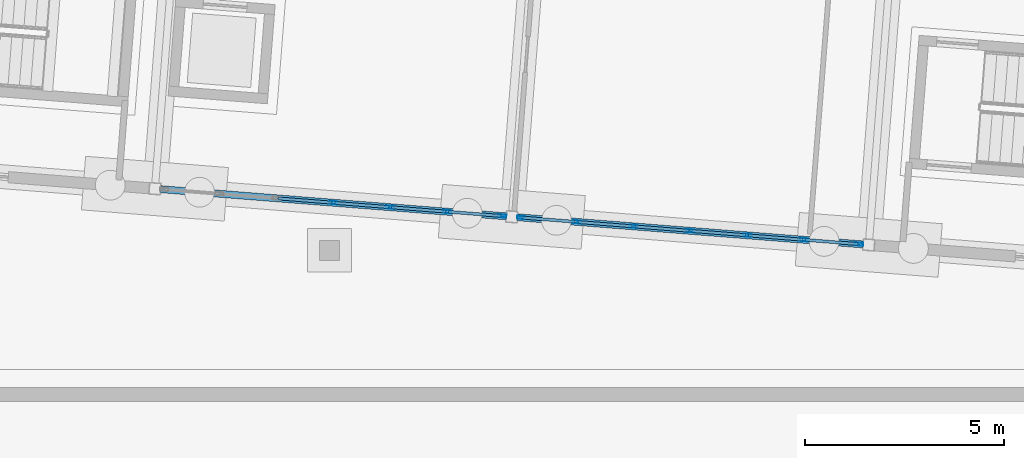
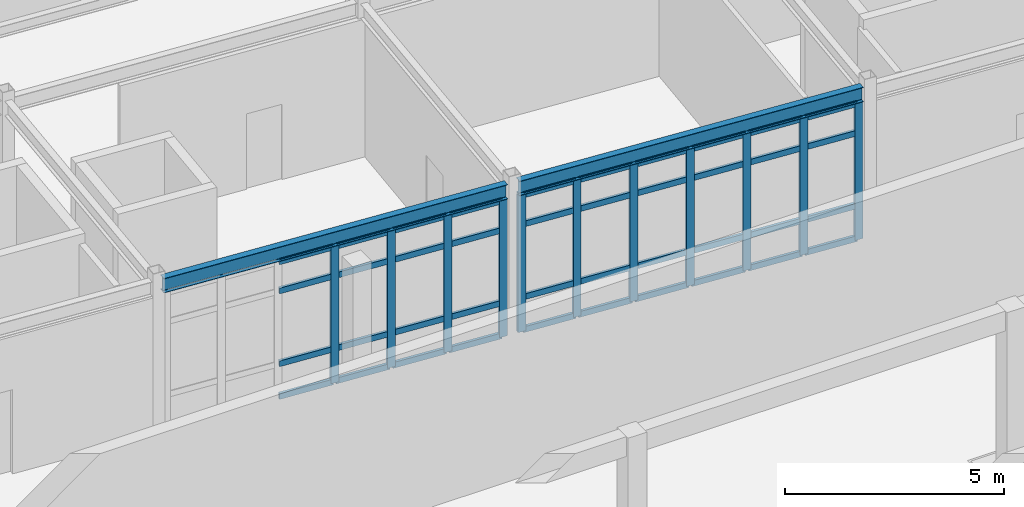
# One storey, part 73 of 154: 51 members, 2 beams, 2 elements without a shape of their own.
"""IFC4 building model written with IfcOpenShell, lengths in metres."""

from ifc_helpers import new_model, si_unit, direction, frame, origin, origin_2d, place, context, subcontext, project, spatial, hollow_rectangle, i_section, extrude, material, material_profile, profile_set, type_object, element, aggregate, save


model = new_model("IFC4")

# Units and contexts
model_context = context("Model", 3, precision=1e-05, world=origin(), true_north=direction((0.0, 1.0)))
body_context = subcontext(model_context, "Body", "Model", "MODEL_VIEW")
ifc_project = project(units=[si_unit("LENGTHUNIT", "METRE"), si_unit("AREAUNIT", "SQUARE_METRE"), si_unit("VOLUMEUNIT", "CUBIC_METRE"), si_unit("PLANEANGLEUNIT", "RADIAN"), si_unit("MASSUNIT", "GRAM", prefix="KILO")], contexts=[model_context])

# Site, building, storey
site_placement = place(None, origin())
site = spatial("IfcSite", under=ifc_project, at=site_placement, CompositionType="ELEMENT")
building_placement = place(site_placement, origin())
building = spatial("IfcBuilding", under=site, at=building_placement, Name="Kestramere Prow Commons", CompositionType="ELEMENT")
storey_placement = place(building_placement, origin())
storey = spatial("IfcBuildingStorey", under=building, at=storey_placement, Name="L00", CompositionType="ELEMENT", Elevation=0.0)

# Beams
ifc_material_1 = material(Name="Steel S355JR", Category="steel")
ifc_material_profile_1 = material_profile(ifc_material_1, i_section(OverallWidth=0.177978515625, OverallDepth=0.406494140625, WebThickness=0.0078125, FlangeThickness=0.0126953125, FilletRadius=0.01025390625, at=origin_2d()), Name="UB 406x178x60")
ifc_profile_set_1 = profile_set([ifc_material_profile_1], Name="Steel S355JR")
beam_type = type_object("IfcBeamType", Name="BM-NR-01 UB 406x178x60 (EX)", PredefinedType="BEAM", material=ifc_profile_set_1)
beam_1_placement = place(storey_placement, frame((77.7216796875, 84.781982421875, 4.046875), z_axis=(0.996919433544, -0.078432410537, 0.0), x_axis=(0.078432410537, 0.996919433544, 0.0)))
element("IfcBeam", 1, at=beam_1_placement, inside=storey, type_object=beam_type, Name="Nursery L00 Beam U 1-2", PredefinedType="BEAM", context=body_context, shape_type="SweptSolid", body=[
    extrude(i_section(OverallWidth=0.177978515625, OverallDepth=0.406494140625, WebThickness=0.0078125, FlangeThickness=0.0126953125, FilletRadius=0.01025390625, at=origin_2d()), origin(), (0.0, 0.0, 1.0), 8.7001953125),
])
beam_2_placement = place(storey_placement, frame((86.694091796875, 84.075927734375, 4.046875), z_axis=(0.996917066238, -0.078462494502, 0.0), x_axis=(0.078462494502, 0.996917066238, 0.0)))
element("IfcBeam", 2, at=beam_2_placement, inside=storey, type_object=beam_type, Name="Nursery L00 Beam U 1-3", PredefinedType="BEAM", context=body_context, shape_type="SweptSolid", body=[
    extrude(i_section(OverallWidth=0.177978515625, OverallDepth=0.406494140625, WebThickness=0.0078125, FlangeThickness=0.0126953125, FilletRadius=0.01025390625, at=origin_2d()), origin(), (0.0, 0.0, 1.0), 8.699951171875),
])

# Curtain wall, members
ifc_material_2 = material(Name="Anodised Aluminium and Low-E Glass", Category="aluminium")
curtain_wall_type = type_object("IfcCurtainWallType", Name="CW-13 Glazed Curtain Wall 8600x3830", PredefinedType="USERDEFINED", material=ifc_material_2)
curtain_wall_1_placement = place(storey_placement, origin())
curtain_wall_1 = element("IfcCurtainWall", 3, at=curtain_wall_1_placement, inside=storey, type_object=curtain_wall_type, Name="Nursery L00 South Classroom Glazing 2", ObjectType="GLAZED CURTAIN WALL", PredefinedType="USERDEFINED")
ifc_material_3 = material(Name="Anodised Aluminium 6063-T6", Category="aluminium")
ifc_material_profile_2 = material_profile(ifc_material_3, hollow_rectangle(XDim=0.074951171875, YDim=0.199951171875, WallThickness=0.0048828125, at=origin_2d()), Name="ALU-MUL 75x200")
ifc_profile_set_2 = profile_set([ifc_material_profile_2], Name="Anodised Aluminium 6063-T6")
member_type_1 = type_object("IfcMemberType", Name="CW-MUL-75x200", PredefinedType="MULLION", material=ifc_profile_set_2)
member_1_placement = place(storey_placement, frame((86.307861328125, 84.1064453125, 0.0), z_axis=(0.0, 0.0, 1.0), x_axis=(-0.078459061468, -0.996917336429, 0.0)))
member_1 = element("IfcMember", 4, at=member_1_placement, type_object=member_type_1, Name="CW-13 mullion 1", PredefinedType="MULLION", context=body_context, shape_type="SweptSolid", body=[
    extrude(hollow_rectangle(XDim=0.074951171875, YDim=0.199951171875, WallThickness=0.0048828125, at=origin_2d()), origin(), (0.0, 0.0, 1.0), 3.830078125),
])
member_2_placement = place(storey_placement, frame((84.916259765625, 84.2158203125, 0.0), z_axis=(0.0, 0.0, 1.0), x_axis=(-0.078459061468, -0.996917336429, 0.0)))
member_2 = element("IfcMember", 5, at=member_2_placement, type_object=member_type_1, Name="CW-13 mullion 2", PredefinedType="MULLION", context=body_context, shape_type="SweptSolid", body=[
    extrude(hollow_rectangle(XDim=0.074951171875, YDim=0.199951171875, WallThickness=0.0048828125, at=origin_2d()), origin(), (0.0, 0.0, 1.0), 3.830078125),
])
member_3_placement = place(storey_placement, frame((83.4873046875, 84.328369140625, 0.0), z_axis=(0.0, 0.0, 1.0), x_axis=(-0.078459061468, -0.996917336429, 0.0)))
member_3 = element("IfcMember", 6, at=member_3_placement, type_object=member_type_1, Name="CW-13 mullion 3", PredefinedType="MULLION", context=body_context, shape_type="SweptSolid", body=[
    extrude(hollow_rectangle(XDim=0.074951171875, YDim=0.199951171875, WallThickness=0.0048828125, at=origin_2d()), origin(), (0.0, 0.0, 1.0), 3.830078125),
])
member_4_placement = place(storey_placement, frame((82.058349609375, 84.44091796875, 0.0), z_axis=(0.0, 0.0, 1.0), x_axis=(-0.078459061468, -0.996917336429, 0.0)))
member_4 = element("IfcMember", 7, at=member_4_placement, type_object=member_type_1, Name="CW-13 mullion 4", PredefinedType="MULLION", context=body_context, shape_type="SweptSolid", body=[
    extrude(hollow_rectangle(XDim=0.074951171875, YDim=0.199951171875, WallThickness=0.0048828125, at=origin_2d()), origin(), (0.0, 0.0, 1.0), 3.830078125),
])

curtain_wall_2_placement = place(storey_placement, origin())
curtain_wall_2 = element("IfcCurtainWall", 8, at=curtain_wall_2_placement, inside=storey, type_object=curtain_wall_type, Name="Nursery L00 South Classroom Glazing 3", ObjectType="GLAZED CURTAIN WALL", PredefinedType="USERDEFINED")
member_5_placement = place(storey_placement, frame((95.280029296875, 83.400146484375, 0.0), z_axis=(0.0, 0.0, 1.0), x_axis=(-0.078459061468, -0.996917336429, 0.0)))
member_5 = element("IfcMember", 9, at=member_5_placement, type_object=member_type_1, Name="CW-13 mullion 1", PredefinedType="MULLION", context=body_context, shape_type="SweptSolid", body=[
    extrude(hollow_rectangle(XDim=0.074951171875, YDim=0.199951171875, WallThickness=0.0048828125, at=origin_2d()), origin(), (0.0, 0.0, 1.0), 3.830078125),
])
member_6_placement = place(storey_placement, frame((93.888427734375, 83.509765625, 0.0), z_axis=(0.0, 0.0, 1.0), x_axis=(-0.078459061468, -0.996917336429, 0.0)))
member_6 = element("IfcMember", 10, at=member_6_placement, type_object=member_type_1, Name="CW-13 mullion 2", PredefinedType="MULLION", context=body_context, shape_type="SweptSolid", body=[
    extrude(hollow_rectangle(XDim=0.074951171875, YDim=0.199951171875, WallThickness=0.0048828125, at=origin_2d()), origin(), (0.0, 0.0, 1.0), 3.830078125),
])
member_7_placement = place(storey_placement, frame((92.45947265625, 83.622314453125, 0.0), z_axis=(0.0, 0.0, 1.0), x_axis=(-0.078459061468, -0.996917336429, 0.0)))
member_7 = element("IfcMember", 11, at=member_7_placement, type_object=member_type_1, Name="CW-13 mullion 3", PredefinedType="MULLION", context=body_context, shape_type="SweptSolid", body=[
    extrude(hollow_rectangle(XDim=0.074951171875, YDim=0.199951171875, WallThickness=0.0048828125, at=origin_2d()), origin(), (0.0, 0.0, 1.0), 3.830078125),
])
member_8_placement = place(storey_placement, frame((91.03076171875, 83.734619140625, 0.0), z_axis=(0.0, 0.0, 1.0), x_axis=(-0.078459061468, -0.996917336429, 0.0)))
member_8 = element("IfcMember", 12, at=member_8_placement, type_object=member_type_1, Name="CW-13 mullion 4", PredefinedType="MULLION", context=body_context, shape_type="SweptSolid", body=[
    extrude(hollow_rectangle(XDim=0.074951171875, YDim=0.199951171875, WallThickness=0.0048828125, at=origin_2d()), origin(), (0.0, 0.0, 1.0), 3.830078125),
])
member_9_placement = place(storey_placement, frame((89.601806640625, 83.84716796875, 0.0), z_axis=(0.0, 0.0, 1.0), x_axis=(-0.078459061468, -0.996917336429, 0.0)))
member_9 = element("IfcMember", 13, at=member_9_placement, type_object=member_type_1, Name="CW-13 mullion 5", PredefinedType="MULLION", context=body_context, shape_type="SweptSolid", body=[
    extrude(hollow_rectangle(XDim=0.074951171875, YDim=0.199951171875, WallThickness=0.0048828125, at=origin_2d()), origin(), (0.0, 0.0, 1.0), 3.830078125),
])
member_10_placement = place(storey_placement, frame((88.1728515625, 83.95947265625, 0.0), z_axis=(0.0, 0.0, 1.0), x_axis=(-0.078459061468, -0.996917336429, 0.0)))
member_10 = element("IfcMember", 14, at=member_10_placement, type_object=member_type_1, Name="CW-13 mullion 6", PredefinedType="MULLION", context=body_context, shape_type="SweptSolid", body=[
    extrude(hollow_rectangle(XDim=0.074951171875, YDim=0.199951171875, WallThickness=0.0048828125, at=origin_2d()), origin(), (0.0, 0.0, 1.0), 3.830078125),
])
member_11_placement = place(storey_placement, frame((86.78125, 84.069091796875, 0.0), z_axis=(0.0, 0.0, 1.0), x_axis=(-0.078459061468, -0.996917336429, 0.0)))
member_11 = element("IfcMember", 15, at=member_11_placement, type_object=member_type_1, Name="CW-13 mullion 7", PredefinedType="MULLION", context=body_context, shape_type="SweptSolid", body=[
    extrude(hollow_rectangle(XDim=0.074951171875, YDim=0.199951171875, WallThickness=0.0048828125, at=origin_2d()), origin(), (0.0, 0.0, 1.0), 3.830078125),
])

# Member
ifc_material_profile_3 = material_profile(ifc_material_3, hollow_rectangle(XDim=0.074951171875, YDim=0.159912109375, WallThickness=0.0048828125, at=origin_2d()), Name="ALU-TRN 75x160")
ifc_profile_set_3 = profile_set([ifc_material_profile_3], Name="Anodised Aluminium 6063-T6")
member_type_2 = type_object("IfcMemberType", Name="CW-TRN-75x160", PredefinedType="USERDEFINED", material=ifc_profile_set_3)
member_12_placement = place(storey_placement, frame((86.270263671875, 84.109375, 0.03759765625), z_axis=(-0.996923667869, 0.078378571329, 0.0), x_axis=(-0.078378571329, -0.996923667869, 0.0)))
member_12 = element("IfcMember", 16, at=member_12_placement, type_object=member_type_2, Name="CW-13 transom 1.1", ObjectType="TRANSOM", PredefinedType="USERDEFINED", context=body_context, shape_type="SweptSolid", body=[
    extrude(hollow_rectangle(XDim=0.074951171875, YDim=0.159912109375, WallThickness=0.0048828125, at=origin_2d()), origin(), (0.0, 0.0, 1.0), 1.32080078125),
])

member_13_placement = place(storey_placement, frame((86.270263671875, 84.109375, 0.949951171875), z_axis=(-0.996923667869, 0.078378571329, 0.0), x_axis=(-0.078378571329, -0.996923667869, 0.0)))
member_13 = element("IfcMember", 17, at=member_13_placement, type_object=member_type_2, Name="CW-13 transom 1.2", ObjectType="TRANSOM", PredefinedType="USERDEFINED", context=body_context, shape_type="SweptSolid", body=[
    extrude(hollow_rectangle(XDim=0.074951171875, YDim=0.159912109375, WallThickness=0.0048828125, at=origin_2d()), origin(), (0.0, 0.0, 1.0), 1.32080078125),
])

member_14_placement = place(storey_placement, frame((86.270263671875, 84.109375, 2.97998046875), z_axis=(-0.996923667869, 0.078378571329, 0.0), x_axis=(-0.078378571329, -0.996923667869, 0.0)))
member_14 = element("IfcMember", 18, at=member_14_placement, type_object=member_type_2, Name="CW-13 transom 1.3", ObjectType="TRANSOM", PredefinedType="USERDEFINED", context=body_context, shape_type="SweptSolid", body=[
    extrude(hollow_rectangle(XDim=0.074951171875, YDim=0.159912109375, WallThickness=0.0048828125, at=origin_2d()), origin(), (0.0, 0.0, 1.0), 1.32080078125),
])

member_15_placement = place(storey_placement, frame((86.270263671875, 84.109375, 3.79248046875), z_axis=(-0.996923667869, 0.078378571329, 0.0), x_axis=(-0.078378571329, -0.996923667869, 0.0)))
member_15 = element("IfcMember", 19, at=member_15_placement, type_object=member_type_2, Name="CW-13 transom 1.4", ObjectType="TRANSOM", PredefinedType="USERDEFINED", context=body_context, shape_type="SweptSolid", body=[
    extrude(hollow_rectangle(XDim=0.074951171875, YDim=0.159912109375, WallThickness=0.0048828125, at=origin_2d()), origin(), (0.0, 0.0, 1.0), 1.32080078125),
])

member_16_placement = place(storey_placement, frame((84.87890625, 84.21875, 0.03759765625), z_axis=(-0.996911122472, 0.078537977379, 0.0), x_axis=(-0.078537977379, -0.996911122472, 0.0)))
member_16 = element("IfcMember", 20, at=member_16_placement, type_object=member_type_2, Name="CW-13 transom 2.1", ObjectType="TRANSOM", PredefinedType="USERDEFINED", context=body_context, shape_type="SweptSolid", body=[
    extrude(hollow_rectangle(XDim=0.074951171875, YDim=0.159912109375, WallThickness=0.0048828125, at=origin_2d()), origin(), (0.0, 0.0, 1.0), 1.3583984375),
])

member_17_placement = place(storey_placement, frame((84.87890625, 84.21875, 0.949951171875), z_axis=(-0.996911122472, 0.078537977379, 0.0), x_axis=(-0.078537977379, -0.996911122472, 0.0)))
member_17 = element("IfcMember", 21, at=member_17_placement, type_object=member_type_2, Name="CW-13 transom 2.2", ObjectType="TRANSOM", PredefinedType="USERDEFINED", context=body_context, shape_type="SweptSolid", body=[
    extrude(hollow_rectangle(XDim=0.074951171875, YDim=0.159912109375, WallThickness=0.0048828125, at=origin_2d()), origin(), (0.0, 0.0, 1.0), 1.3583984375),
])

member_18_placement = place(storey_placement, frame((84.87890625, 84.21875, 2.97998046875), z_axis=(-0.996911122472, 0.078537977379, 0.0), x_axis=(-0.078537977379, -0.996911122472, 0.0)))
member_18 = element("IfcMember", 22, at=member_18_placement, type_object=member_type_2, Name="CW-13 transom 2.3", ObjectType="TRANSOM", PredefinedType="USERDEFINED", context=body_context, shape_type="SweptSolid", body=[
    extrude(hollow_rectangle(XDim=0.074951171875, YDim=0.159912109375, WallThickness=0.0048828125, at=origin_2d()), origin(), (0.0, 0.0, 1.0), 1.3583984375),
])

member_19_placement = place(storey_placement, frame((84.87890625, 84.21875, 3.79248046875), z_axis=(-0.996911122472, 0.078537977379, 0.0), x_axis=(-0.078537977379, -0.996911122472, 0.0)))
member_19 = element("IfcMember", 23, at=member_19_placement, type_object=member_type_2, Name="CW-13 transom 2.4", ObjectType="TRANSOM", PredefinedType="USERDEFINED", context=body_context, shape_type="SweptSolid", body=[
    extrude(hollow_rectangle(XDim=0.074951171875, YDim=0.159912109375, WallThickness=0.0048828125, at=origin_2d()), origin(), (0.0, 0.0, 1.0), 1.3583984375),
])

member_20_placement = place(storey_placement, frame((83.449951171875, 84.331298828125, 0.03759765625), z_axis=(-0.996925177976, 0.078359361384, 0.0), x_axis=(-0.078359361384, -0.996925177976, 0.0)))
member_20 = element("IfcMember", 24, at=member_20_placement, type_object=member_type_2, Name="CW-13 transom 3.1", ObjectType="TRANSOM", PredefinedType="USERDEFINED", context=body_context, shape_type="SweptSolid", body=[
    extrude(hollow_rectangle(XDim=0.074951171875, YDim=0.159912109375, WallThickness=0.0048828125, at=origin_2d()), origin(), (0.0, 0.0, 1.0), 1.3583984375),
])

member_21_placement = place(storey_placement, frame((83.449951171875, 84.331298828125, 0.949951171875), z_axis=(-0.996925177976, 0.078359361384, 0.0), x_axis=(-0.078359361384, -0.996925177976, 0.0)))
member_21 = element("IfcMember", 25, at=member_21_placement, type_object=member_type_2, Name="CW-13 transom 3.2", ObjectType="TRANSOM", PredefinedType="USERDEFINED", context=body_context, shape_type="SweptSolid", body=[
    extrude(hollow_rectangle(XDim=0.074951171875, YDim=0.159912109375, WallThickness=0.0048828125, at=origin_2d()), origin(), (0.0, 0.0, 1.0), 1.3583984375),
])

member_22_placement = place(storey_placement, frame((83.449951171875, 84.331298828125, 2.97998046875), z_axis=(-0.996925177976, 0.078359361384, 0.0), x_axis=(-0.078359361384, -0.996925177976, 0.0)))
member_22 = element("IfcMember", 26, at=member_22_placement, type_object=member_type_2, Name="CW-13 transom 3.3", ObjectType="TRANSOM", PredefinedType="USERDEFINED", context=body_context, shape_type="SweptSolid", body=[
    extrude(hollow_rectangle(XDim=0.074951171875, YDim=0.159912109375, WallThickness=0.0048828125, at=origin_2d()), origin(), (0.0, 0.0, 1.0), 1.3583984375),
])

member_23_placement = place(storey_placement, frame((83.449951171875, 84.331298828125, 3.79248046875), z_axis=(-0.996925177976, 0.078359361384, 0.0), x_axis=(-0.078359361384, -0.996925177976, 0.0)))
member_23 = element("IfcMember", 27, at=member_23_placement, type_object=member_type_2, Name="CW-13 transom 3.4", ObjectType="TRANSOM", PredefinedType="USERDEFINED", context=body_context, shape_type="SweptSolid", body=[
    extrude(hollow_rectangle(XDim=0.074951171875, YDim=0.159912109375, WallThickness=0.0048828125, at=origin_2d()), origin(), (0.0, 0.0, 1.0), 1.3583984375),
])

member_24_placement = place(storey_placement, frame((82.02099609375, 84.44384765625, 0.03759765625), z_axis=(-0.996925177976, 0.078359361384, 0.0), x_axis=(-0.078359361384, -0.996925177976, 0.0)))
member_24 = element("IfcMember", 28, at=member_24_placement, type_object=member_type_2, Name="CW-13 transom 4.1", ObjectType="TRANSOM", PredefinedType="USERDEFINED", context=body_context, shape_type="SweptSolid", body=[
    extrude(hollow_rectangle(XDim=0.074951171875, YDim=0.159912109375, WallThickness=0.0048828125, at=origin_2d()), origin(), (0.0, 0.0, 1.0), 1.3583984375),
])

member_25_placement = place(storey_placement, frame((82.02099609375, 84.44384765625, 0.949951171875), z_axis=(-0.996925177976, 0.078359361384, 0.0), x_axis=(-0.078359361384, -0.996925177976, 0.0)))
member_25 = element("IfcMember", 29, at=member_25_placement, type_object=member_type_2, Name="CW-13 transom 4.2", ObjectType="TRANSOM", PredefinedType="USERDEFINED", context=body_context, shape_type="SweptSolid", body=[
    extrude(hollow_rectangle(XDim=0.074951171875, YDim=0.159912109375, WallThickness=0.0048828125, at=origin_2d()), origin(), (0.0, 0.0, 1.0), 1.3583984375),
])

member_26_placement = place(storey_placement, frame((82.02099609375, 84.44384765625, 2.97998046875), z_axis=(-0.996925177976, 0.078359361384, 0.0), x_axis=(-0.078359361384, -0.996925177976, 0.0)))
member_26 = element("IfcMember", 30, at=member_26_placement, type_object=member_type_2, Name="CW-13 transom 4.3", ObjectType="TRANSOM", PredefinedType="USERDEFINED", context=body_context, shape_type="SweptSolid", body=[
    extrude(hollow_rectangle(XDim=0.074951171875, YDim=0.159912109375, WallThickness=0.0048828125, at=origin_2d()), origin(), (0.0, 0.0, 1.0), 1.3583984375),
])

member_27_placement = place(storey_placement, frame((82.02099609375, 84.44384765625, 3.79248046875), z_axis=(-0.996925177976, 0.078359361384, 0.0), x_axis=(-0.078359361384, -0.996925177976, 0.0)))
member_27 = element("IfcMember", 31, at=member_27_placement, type_object=member_type_2, Name="CW-13 transom 4.4", ObjectType="TRANSOM", PredefinedType="USERDEFINED", context=body_context, shape_type="SweptSolid", body=[
    extrude(hollow_rectangle(XDim=0.074951171875, YDim=0.159912109375, WallThickness=0.0048828125, at=origin_2d()), origin(), (0.0, 0.0, 1.0), 1.3583984375),
])

aggregate(curtain_wall_1, [member_1, member_2, member_3, member_4, member_12, member_13, member_14, member_15, member_16, member_17, member_18, member_19, member_20, member_21, member_22, member_23, member_24, member_25, member_26, member_27])

member_28_placement = place(storey_placement, frame((95.24267578125, 83.403076171875, 0.03759765625), z_axis=(-0.996910347642, 0.078547811967, 0.0), x_axis=(-0.078547811967, -0.996910347642, 0.0)))
member_28 = element("IfcMember", 32, at=member_28_placement, type_object=member_type_2, Name="CW-13 transom 1.1", ObjectType="TRANSOM", PredefinedType="USERDEFINED", context=body_context, shape_type="SweptSolid", body=[
    extrude(hollow_rectangle(XDim=0.074951171875, YDim=0.159912109375, WallThickness=0.0048828125, at=origin_2d()), origin(), (0.0, 0.0, 1.0), 1.321044921875),
])

member_29_placement = place(storey_placement, frame((95.24267578125, 83.403076171875, 0.949951171875), z_axis=(-0.996910347642, 0.078547811967, 0.0), x_axis=(-0.078547811967, -0.996910347642, 0.0)))
member_29 = element("IfcMember", 33, at=member_29_placement, type_object=member_type_2, Name="CW-13 transom 1.2", ObjectType="TRANSOM", PredefinedType="USERDEFINED", context=body_context, shape_type="SweptSolid", body=[
    extrude(hollow_rectangle(XDim=0.074951171875, YDim=0.159912109375, WallThickness=0.0048828125, at=origin_2d()), origin(), (0.0, 0.0, 1.0), 1.321044921875),
])

member_30_placement = place(storey_placement, frame((95.24267578125, 83.403076171875, 2.97998046875), z_axis=(-0.996910347642, 0.078547811967, 0.0), x_axis=(-0.078547811967, -0.996910347642, 0.0)))
member_30 = element("IfcMember", 34, at=member_30_placement, type_object=member_type_2, Name="CW-13 transom 1.3", ObjectType="TRANSOM", PredefinedType="USERDEFINED", context=body_context, shape_type="SweptSolid", body=[
    extrude(hollow_rectangle(XDim=0.074951171875, YDim=0.159912109375, WallThickness=0.0048828125, at=origin_2d()), origin(), (0.0, 0.0, 1.0), 1.321044921875),
])

member_31_placement = place(storey_placement, frame((95.24267578125, 83.403076171875, 3.79248046875), z_axis=(-0.996910347642, 0.078547811967, 0.0), x_axis=(-0.078547811967, -0.996910347642, 0.0)))
member_31 = element("IfcMember", 35, at=member_31_placement, type_object=member_type_2, Name="CW-13 transom 1.4", ObjectType="TRANSOM", PredefinedType="USERDEFINED", context=body_context, shape_type="SweptSolid", body=[
    extrude(hollow_rectangle(XDim=0.074951171875, YDim=0.159912109375, WallThickness=0.0048828125, at=origin_2d()), origin(), (0.0, 0.0, 1.0), 1.321044921875),
])

member_32_placement = place(storey_placement, frame((93.85107421875, 83.5126953125, 0.03759765625), z_axis=(-0.996911122472, 0.078537977379, 0.0), x_axis=(-0.078537977379, -0.996911122472, 0.0)))
member_32 = element("IfcMember", 36, at=member_32_placement, type_object=member_type_2, Name="CW-13 transom 2.1", ObjectType="TRANSOM", PredefinedType="USERDEFINED", context=body_context, shape_type="SweptSolid", body=[
    extrude(hollow_rectangle(XDim=0.074951171875, YDim=0.159912109375, WallThickness=0.0048828125, at=origin_2d()), origin(), (0.0, 0.0, 1.0), 1.3583984375),
])

member_33_placement = place(storey_placement, frame((93.85107421875, 83.5126953125, 0.949951171875), z_axis=(-0.996911122472, 0.078537977379, 0.0), x_axis=(-0.078537977379, -0.996911122472, 0.0)))
member_33 = element("IfcMember", 37, at=member_33_placement, type_object=member_type_2, Name="CW-13 transom 2.2", ObjectType="TRANSOM", PredefinedType="USERDEFINED", context=body_context, shape_type="SweptSolid", body=[
    extrude(hollow_rectangle(XDim=0.074951171875, YDim=0.159912109375, WallThickness=0.0048828125, at=origin_2d()), origin(), (0.0, 0.0, 1.0), 1.3583984375),
])

member_34_placement = place(storey_placement, frame((93.85107421875, 83.5126953125, 2.97998046875), z_axis=(-0.996911122472, 0.078537977379, 0.0), x_axis=(-0.078537977379, -0.996911122472, 0.0)))
member_34 = element("IfcMember", 38, at=member_34_placement, type_object=member_type_2, Name="CW-13 transom 2.3", ObjectType="TRANSOM", PredefinedType="USERDEFINED", context=body_context, shape_type="SweptSolid", body=[
    extrude(hollow_rectangle(XDim=0.074951171875, YDim=0.159912109375, WallThickness=0.0048828125, at=origin_2d()), origin(), (0.0, 0.0, 1.0), 1.3583984375),
])

member_35_placement = place(storey_placement, frame((93.85107421875, 83.5126953125, 3.79248046875), z_axis=(-0.996911122472, 0.078537977379, 0.0), x_axis=(-0.078537977379, -0.996911122472, 0.0)))
member_35 = element("IfcMember", 39, at=member_35_placement, type_object=member_type_2, Name="CW-13 transom 2.4", ObjectType="TRANSOM", PredefinedType="USERDEFINED", context=body_context, shape_type="SweptSolid", body=[
    extrude(hollow_rectangle(XDim=0.074951171875, YDim=0.159912109375, WallThickness=0.0048828125, at=origin_2d()), origin(), (0.0, 0.0, 1.0), 1.3583984375),
])

member_36_placement = place(storey_placement, frame((92.422119140625, 83.625244140625, 0.03759765625), z_axis=(-0.996924074145, 0.078373403593, 0.0), x_axis=(-0.078373403593, -0.996924074145, 0.0)))
member_36 = element("IfcMember", 40, at=member_36_placement, type_object=member_type_2, Name="CW-13 transom 3.1", ObjectType="TRANSOM", PredefinedType="USERDEFINED", context=body_context, shape_type="SweptSolid", body=[
    extrude(hollow_rectangle(XDim=0.074951171875, YDim=0.159912109375, WallThickness=0.0048828125, at=origin_2d()), origin(), (0.0, 0.0, 1.0), 1.358154296875),
])

member_37_placement = place(storey_placement, frame((92.422119140625, 83.625244140625, 0.949951171875), z_axis=(-0.996924074145, 0.078373403593, 0.0), x_axis=(-0.078373403593, -0.996924074145, 0.0)))
member_37 = element("IfcMember", 41, at=member_37_placement, type_object=member_type_2, Name="CW-13 transom 3.2", ObjectType="TRANSOM", PredefinedType="USERDEFINED", context=body_context, shape_type="SweptSolid", body=[
    extrude(hollow_rectangle(XDim=0.074951171875, YDim=0.159912109375, WallThickness=0.0048828125, at=origin_2d()), origin(), (0.0, 0.0, 1.0), 1.358154296875),
])

member_38_placement = place(storey_placement, frame((92.422119140625, 83.625244140625, 2.97998046875), z_axis=(-0.996924074145, 0.078373403593, 0.0), x_axis=(-0.078373403593, -0.996924074145, 0.0)))
member_38 = element("IfcMember", 42, at=member_38_placement, type_object=member_type_2, Name="CW-13 transom 3.3", ObjectType="TRANSOM", PredefinedType="USERDEFINED", context=body_context, shape_type="SweptSolid", body=[
    extrude(hollow_rectangle(XDim=0.074951171875, YDim=0.159912109375, WallThickness=0.0048828125, at=origin_2d()), origin(), (0.0, 0.0, 1.0), 1.358154296875),
])

member_39_placement = place(storey_placement, frame((92.422119140625, 83.625244140625, 3.79248046875), z_axis=(-0.996924074145, 0.078373403593, 0.0), x_axis=(-0.078373403593, -0.996924074145, 0.0)))
member_39 = element("IfcMember", 43, at=member_39_placement, type_object=member_type_2, Name="CW-13 transom 3.4", ObjectType="TRANSOM", PredefinedType="USERDEFINED", context=body_context, shape_type="SweptSolid", body=[
    extrude(hollow_rectangle(XDim=0.074951171875, YDim=0.159912109375, WallThickness=0.0048828125, at=origin_2d()), origin(), (0.0, 0.0, 1.0), 1.358154296875),
])

member_40_placement = place(storey_placement, frame((90.9931640625, 83.737548828125, 0.03759765625), z_axis=(-0.996910013618, 0.078552051199, 0.0), x_axis=(-0.078552051199, -0.996910013618, 0.0)))
member_40 = element("IfcMember", 44, at=member_40_placement, type_object=member_type_2, Name="CW-13 transom 4.1", ObjectType="TRANSOM", PredefinedType="USERDEFINED", context=body_context, shape_type="SweptSolid", body=[
    extrude(hollow_rectangle(XDim=0.074951171875, YDim=0.159912109375, WallThickness=0.0048828125, at=origin_2d()), origin(), (0.0, 0.0, 1.0), 1.358154296875),
])

member_41_placement = place(storey_placement, frame((90.9931640625, 83.737548828125, 0.949951171875), z_axis=(-0.996910013618, 0.078552051199, 0.0), x_axis=(-0.078552051199, -0.996910013618, 0.0)))
member_41 = element("IfcMember", 45, at=member_41_placement, type_object=member_type_2, Name="CW-13 transom 4.2", ObjectType="TRANSOM", PredefinedType="USERDEFINED", context=body_context, shape_type="SweptSolid", body=[
    extrude(hollow_rectangle(XDim=0.074951171875, YDim=0.159912109375, WallThickness=0.0048828125, at=origin_2d()), origin(), (0.0, 0.0, 1.0), 1.358154296875),
])

member_42_placement = place(storey_placement, frame((90.9931640625, 83.737548828125, 2.97998046875), z_axis=(-0.996910013618, 0.078552051199, 0.0), x_axis=(-0.078552051199, -0.996910013618, 0.0)))
member_42 = element("IfcMember", 46, at=member_42_placement, type_object=member_type_2, Name="CW-13 transom 4.3", ObjectType="TRANSOM", PredefinedType="USERDEFINED", context=body_context, shape_type="SweptSolid", body=[
    extrude(hollow_rectangle(XDim=0.074951171875, YDim=0.159912109375, WallThickness=0.0048828125, at=origin_2d()), origin(), (0.0, 0.0, 1.0), 1.358154296875),
])

member_43_placement = place(storey_placement, frame((90.9931640625, 83.737548828125, 3.79248046875), z_axis=(-0.996910013618, 0.078552051199, 0.0), x_axis=(-0.078552051199, -0.996910013618, 0.0)))
member_43 = element("IfcMember", 47, at=member_43_placement, type_object=member_type_2, Name="CW-13 transom 4.4", ObjectType="TRANSOM", PredefinedType="USERDEFINED", context=body_context, shape_type="SweptSolid", body=[
    extrude(hollow_rectangle(XDim=0.074951171875, YDim=0.159912109375, WallThickness=0.0048828125, at=origin_2d()), origin(), (0.0, 0.0, 1.0), 1.358154296875),
])

member_44_placement = place(storey_placement, frame((89.564453125, 83.85009765625, 0.03759765625), z_axis=(-0.996925177976, 0.078359361384, 0.0), x_axis=(-0.078359361384, -0.996925177976, 0.0)))
member_44 = element("IfcMember", 48, at=member_44_placement, type_object=member_type_2, Name="CW-13 transom 5.1", ObjectType="TRANSOM", PredefinedType="USERDEFINED", context=body_context, shape_type="SweptSolid", body=[
    extrude(hollow_rectangle(XDim=0.074951171875, YDim=0.159912109375, WallThickness=0.0048828125, at=origin_2d()), origin(), (0.0, 0.0, 1.0), 1.3583984375),
])

member_45_placement = place(storey_placement, frame((89.564453125, 83.85009765625, 0.949951171875), z_axis=(-0.996925177976, 0.078359361384, 0.0), x_axis=(-0.078359361384, -0.996925177976, 0.0)))
member_45 = element("IfcMember", 49, at=member_45_placement, type_object=member_type_2, Name="CW-13 transom 5.2", ObjectType="TRANSOM", PredefinedType="USERDEFINED", context=body_context, shape_type="SweptSolid", body=[
    extrude(hollow_rectangle(XDim=0.074951171875, YDim=0.159912109375, WallThickness=0.0048828125, at=origin_2d()), origin(), (0.0, 0.0, 1.0), 1.3583984375),
])

member_46_placement = place(storey_placement, frame((89.564453125, 83.85009765625, 2.97998046875), z_axis=(-0.996925177976, 0.078359361384, 0.0), x_axis=(-0.078359361384, -0.996925177976, 0.0)))
member_46 = element("IfcMember", 50, at=member_46_placement, type_object=member_type_2, Name="CW-13 transom 5.3", ObjectType="TRANSOM", PredefinedType="USERDEFINED", context=body_context, shape_type="SweptSolid", body=[
    extrude(hollow_rectangle(XDim=0.074951171875, YDim=0.159912109375, WallThickness=0.0048828125, at=origin_2d()), origin(), (0.0, 0.0, 1.0), 1.3583984375),
])

member_47_placement = place(storey_placement, frame((89.564453125, 83.85009765625, 3.79248046875), z_axis=(-0.996925177976, 0.078359361384, 0.0), x_axis=(-0.078359361384, -0.996925177976, 0.0)))
member_47 = element("IfcMember", 51, at=member_47_placement, type_object=member_type_2, Name="CW-13 transom 5.4", ObjectType="TRANSOM", PredefinedType="USERDEFINED", context=body_context, shape_type="SweptSolid", body=[
    extrude(hollow_rectangle(XDim=0.074951171875, YDim=0.159912109375, WallThickness=0.0048828125, at=origin_2d()), origin(), (0.0, 0.0, 1.0), 1.3583984375),
])

member_48_placement = place(storey_placement, frame((88.135498046875, 83.962646484375, 0.03759765625), z_axis=(-0.996924803157, 0.078364129874, 0.0), x_axis=(-0.078364129874, -0.996924803157, 0.0)))
member_48 = element("IfcMember", 52, at=member_48_placement, type_object=member_type_2, Name="CW-13 transom 6.1", ObjectType="TRANSOM", PredefinedType="USERDEFINED", context=body_context, shape_type="SweptSolid", body=[
    extrude(hollow_rectangle(XDim=0.074951171875, YDim=0.159912109375, WallThickness=0.0048828125, at=origin_2d()), origin(), (0.0, 0.0, 1.0), 1.321044921875),
])

member_49_placement = place(storey_placement, frame((88.135498046875, 83.962646484375, 0.949951171875), z_axis=(-0.996924803157, 0.078364129874, 0.0), x_axis=(-0.078364129874, -0.996924803157, 0.0)))
member_49 = element("IfcMember", 53, at=member_49_placement, type_object=member_type_2, Name="CW-13 transom 6.2", ObjectType="TRANSOM", PredefinedType="USERDEFINED", context=body_context, shape_type="SweptSolid", body=[
    extrude(hollow_rectangle(XDim=0.074951171875, YDim=0.159912109375, WallThickness=0.0048828125, at=origin_2d()), origin(), (0.0, 0.0, 1.0), 1.321044921875),
])

member_50_placement = place(storey_placement, frame((88.135498046875, 83.962646484375, 2.97998046875), z_axis=(-0.996924803157, 0.078364129874, 0.0), x_axis=(-0.078364129874, -0.996924803157, 0.0)))
member_50 = element("IfcMember", 54, at=member_50_placement, type_object=member_type_2, Name="CW-13 transom 6.3", ObjectType="TRANSOM", PredefinedType="USERDEFINED", context=body_context, shape_type="SweptSolid", body=[
    extrude(hollow_rectangle(XDim=0.074951171875, YDim=0.159912109375, WallThickness=0.0048828125, at=origin_2d()), origin(), (0.0, 0.0, 1.0), 1.321044921875),
])

member_51_placement = place(storey_placement, frame((88.135498046875, 83.962646484375, 3.79248046875), z_axis=(-0.996924803157, 0.078364129874, 0.0), x_axis=(-0.078364129874, -0.996924803157, 0.0)))
member_51 = element("IfcMember", 55, at=member_51_placement, type_object=member_type_2, Name="CW-13 transom 6.4", ObjectType="TRANSOM", PredefinedType="USERDEFINED", context=body_context, shape_type="SweptSolid", body=[
    extrude(hollow_rectangle(XDim=0.074951171875, YDim=0.159912109375, WallThickness=0.0048828125, at=origin_2d()), origin(), (0.0, 0.0, 1.0), 1.321044921875),
])

aggregate(curtain_wall_2, [member_5, member_6, member_7, member_8, member_9, member_10, member_11, member_28, member_29, member_30, member_31, member_32, member_33, member_34, member_35, member_36, member_37, member_38, member_39, member_40, member_41, member_42, member_43, member_44, member_45, member_46, member_47, member_48, member_49, member_50, member_51])

save(model, "model.ifc")
